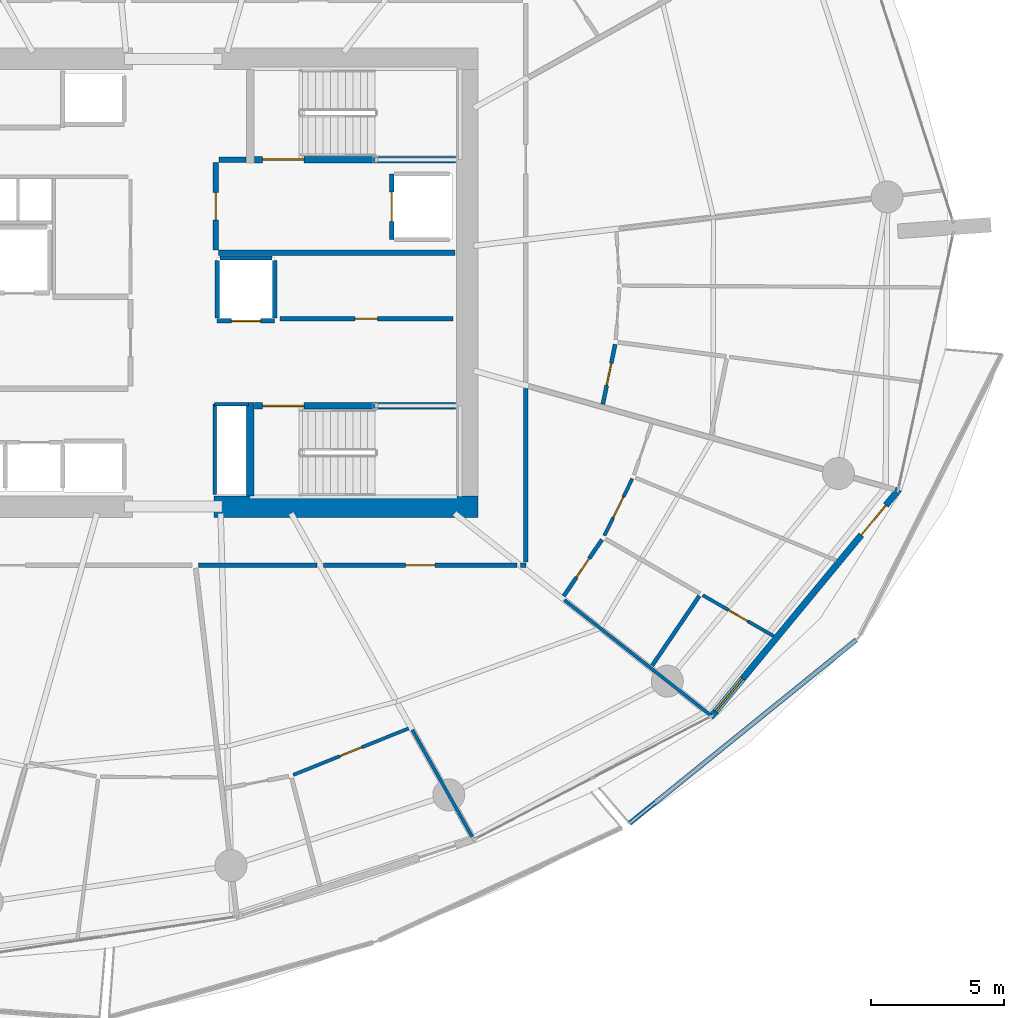
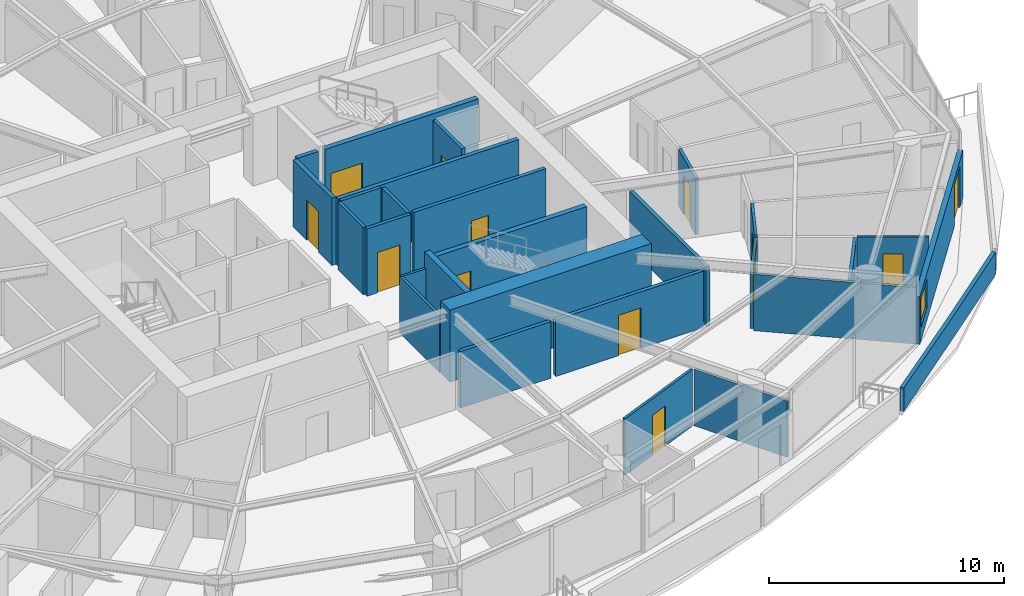
# One storey, part 13 of 23: 29 walls, 13 doors, 1 window, 14 openings.
"""IFC4 building model written with IfcOpenShell, lengths in metres."""

from ifc_helpers import new_model, si_unit, direction, frame, frame_2d, origin, place, context, subcontext, project, spatial, polyline, rectangle, outline, extrude, material, layer, layer_set, type_object, element, fill, save


model = new_model("IFC4")

# Units and contexts
model_context = context("Model", 3, precision=1e-05, world=origin(), true_north=direction((0.0, 1.0)))
body_context = subcontext(model_context, "Body", "Model", "MODEL_VIEW")
ifc_project = project(units=[si_unit("LENGTHUNIT", "METRE"), si_unit("AREAUNIT", "SQUARE_METRE"), si_unit("VOLUMEUNIT", "CUBIC_METRE"), si_unit("PLANEANGLEUNIT", "RADIAN"), si_unit("MASSUNIT", "GRAM", prefix="KILO")], contexts=[model_context])

# Site, building, storey
site_placement = place(None, origin())
site = spatial("IfcSite", under=ifc_project, at=site_placement, CompositionType="ELEMENT")
building_placement = place(site_placement, origin())
building = spatial("IfcBuilding", under=site, at=building_placement, Name="Kazma Halo Residences", CompositionType="ELEMENT")
storey_placement = place(building_placement, frame((0.0, 0.0, 78.89990234375)))
storey = spatial("IfcBuildingStorey", under=building, at=storey_placement, Name="L19", CompositionType="ELEMENT", Elevation=78.89990234375)

# Walls
ifc_material_1 = material(Name="White Concrete C50/60 Balustrade", Category="concrete")
ifc_layer_1 = layer(ifc_material_1, 0.179931640625)
ifc_layer_set_1 = layer_set([ifc_layer_1], Name="White Concrete C50/60 Balustrade")
wall_type_1 = type_object("IfcWallType", Name="WL-BAL-WAVE-180", PredefinedType="PARAPET", material=ifc_layer_set_1)
wall_1_placement = place(storey_placement, frame((65.541015625, 21.714599609375, 0.0), z_axis=(0.0, 0.0, 1.0), x_axis=(0.777242274281, 0.629201436005, 0.0)))
element("IfcWall", 1, at=wall_1_placement, inside=storey, type_object=wall_type_1, Name="L19 white wave balustrade wall SE.1", PredefinedType="PARAPET", context=body_context, shape_type="SweptSolid", body=[
    extrude(outline(polyline([(0.0, 0.0), (10.94873046875, 0.0), (10.94873046875, 1.148193359375), (5.474365234375, 1.127197265625), (0.0, 1.22412109375), (0.0, 0.0)])), frame((0.0, 0.08984375, 0.0), z_axis=(0.0, -1.0, 0.0), x_axis=(1.0, 0.0, 0.0)), (0.0, 0.0, 1.0), 0.179931640625),
])
ifc_material_2 = material(Name="Concrete C80/95", Category="concrete")
ifc_layer_2 = layer(ifc_material_2, 0.800048828125)
ifc_layer_set_2 = layer_set([ifc_layer_2], Name="Concrete C80/95")
wall_type_2 = type_object("IfcWallType", Name="WL-CORE-800", PredefinedType="SHEAR", material=ifc_layer_set_2)
wall_2_placement = place(storey_placement, frame((49.949951171875, 33.60009765625, 0.0), z_axis=(0.0, 0.0, 1.0), x_axis=(1.0, 0.0, 0.0)))
element("IfcWall", 2, at=wall_2_placement, inside=storey, type_object=wall_type_2, Name="L19 central core shear wall SE", PredefinedType="SHEAR", context=body_context, shape_type="SweptSolid", body=[
    extrude(rectangle(XDim=9.900146484375, YDim=0.800048828125, at=frame_2d((4.9501953125, 0.0))), origin(), (0.0, 0.0, 1.0), 3.75),
])
ifc_material_3 = material(Name="Concrete C60/75", Category="concrete")
ifc_layer_3 = layer(ifc_material_3, 0.280029296875)
ifc_layer_set_3 = layer_set([ifc_layer_3], Name="Concrete C60/75")
wall_type_3 = type_object("IfcWallType", Name="WL-CORE-ST-280", PredefinedType="SHEAR", material=ifc_layer_set_3)
wall_3_placement = place(storey_placement, frame((51.31005859375, 34.0, 0.0), z_axis=(0.0, 0.0, 1.0), x_axis=(0.0, 1.0, 0.0)))
element("IfcWall", 3, at=wall_3_placement, inside=storey, type_object=wall_type_3, Name="L19 stairwell bearing wall ST03-W", PredefinedType="SHEAR", context=body_context, shape_type="SweptSolid", body=[
    extrude(rectangle(XDim=3.5, YDim=0.280029296875, at=frame_2d((1.75, 0.0))), origin(), (0.0, 0.0, 1.0), 3.75),
])

# Wall, opening, door
ifc_material_4 = material(Name="Acoustic Twin-Stud Gypsum")
ifc_layer_4 = layer(ifc_material_4, 0.179931640625)
ifc_layer_set_4 = layer_set([ifc_layer_4], Name="Acoustic Twin-Stud Gypsum")
wall_type_4 = type_object("IfcWallType", Name="WL-DEM-180", PredefinedType="PARTITIONING", material=ifc_layer_set_4)
wall_4_placement = place(storey_placement, frame((54.056396484375, 31.39990234375, 0.0), z_axis=(0.0, 0.0, 1.0), x_axis=(1.0, 0.0, 0.0)))
wall_4 = element("IfcWall", 4, at=wall_4_placement, inside=storey, type_object=wall_type_4, Name="L19 Apartment 3 entrance corridor wall", PredefinedType="PARTITIONING", context=body_context, shape_type="SweptSolid", body=[
    extrude(rectangle(XDim=7.26953125, YDim=0.179931640625, at=frame_2d((3.634765625, 0.0))), origin(), (0.0, 0.0, 1.0), 2.940185546875),
])
opening_1_placement = place(wall_4_placement, frame((3.0849609375, 0.0, 0.0)))
opening_1 = element("IfcOpeningElement", 5, at=opening_1_placement, cuts=wall_4, Name="Opening DA-1100", PredefinedType="OPENING", context=body_context, shape_type="SweptSolid", body=[
    extrude(rectangle(XDim=1.10009765625, YDim=2.10009765625, at=frame_2d((0.550048828125, 1.050048828125))), frame((0.0, 0.099853515625, 0.0), z_axis=(0.0, -1.0, 0.0), x_axis=(1.0, 0.0, 0.0)), (0.0, 0.0, 1.0), 0.199951171875),
])
ifc_material_5 = material(Name="Acoustic Walnut Fire Leaf")
door_type_1 = type_object("IfcDoorType", Name="DR-FD60-1100", OperationType="NOTDEFINED", PredefinedType="DOOR", material=ifc_material_5)
door_1_placement = place(opening_1_placement, origin())
door_1 = element("IfcDoor", 6, at=door_1_placement, inside=storey, type_object=door_type_1, Name="L19 Apartment 3 entrance fire door", OperationType="SINGLE_SWING_LEFT", OverallHeight=2.10009765625, OverallWidth=1.10009765625, PredefinedType="DOOR", context=body_context, shape_type="SweptSolid", body=[
    extrude(rectangle(XDim=1.10009765625, YDim=2.10009765625, at=frame_2d((0.550048828125, 1.050048828125))), frame((0.0, 0.02490234375, 0.0), z_axis=(0.0, -1.0, 0.0), x_axis=(1.0, 0.0, 0.0)), (0.0, 0.0, 1.0), 0.050048828125),
])
fill(opening_1, door_1)

# Walls
wall_5_placement = place(storey_placement, frame((49.37451171875, 31.39990234375, 0.0), z_axis=(0.0, 0.0, 1.0), x_axis=(1.0, 0.0, 0.0)))
element("IfcWall", 7, at=wall_5_placement, inside=storey, type_object=wall_type_4, Name="L19 Apartment 3 inner wall 11", PredefinedType="PARTITIONING", context=body_context, shape_type="SweptSolid", body=[
    extrude(rectangle(XDim=4.44189453125, YDim=0.179931640625, at=frame_2d((2.220947265625, 0.0))), origin(), (0.0, 0.0, 1.0), 2.940185546875),
])
wall_6_placement = place(storey_placement, frame((61.446044921875, 31.39990234375, 0.0), z_axis=(0.0, 0.0, 1.0), x_axis=(1.0, 0.0, 0.0)))
element("IfcWall", 8, at=wall_6_placement, inside=storey, type_object=wall_type_4, Name="L19 Apartment 3 inner wall 13", PredefinedType="PARTITIONING", context=body_context, shape_type="SweptSolid", body=[
    extrude(rectangle(XDim=0.203857421875, YDim=0.179931640625, at=frame_2d((0.10205078125, 0.0))), origin(), (0.0, 0.0, 1.0), 2.940185546875),
])
wall_7_placement = place(storey_placement, frame((61.64990234375, 31.52001953125, 0.0), z_axis=(0.0, 0.0, 1.0), x_axis=(0.0, 1.0, 0.0)))
element("IfcWall", 9, at=wall_7_placement, inside=storey, type_object=wall_type_4, Name="L19 Apartment 3 inner wall 13", PredefinedType="PARTITIONING", context=body_context, shape_type="SweptSolid", body=[
    extrude(rectangle(XDim=6.51025390625, YDim=0.179931640625, at=frame_2d((3.255126953125, 0.0))), origin(), (0.0, 0.0, 1.0), 2.940185546875),
])

# Wall, openings, door, window
ifc_material_6 = material(Name="Insulated Pale-Metal Composite Wall")
ifc_layer_5 = layer(ifc_material_6, 0.239990234375)
ifc_layer_set_5 = layer_set([ifc_layer_5], Name="Insulated Pale-Metal Composite Wall")
wall_type_5 = type_object("IfcWallType", Name="WL-EXT-HOST-240", PredefinedType="SOLIDWALL", material=ifc_layer_set_5)
wall_8_placement = place(storey_placement, frame((68.593017578125, 25.7021484375, 0.0), z_axis=(0.0, 0.0, 1.0), x_axis=(0.636704975, 0.771107498868, 0.0)))
wall_8 = element("IfcWall", 10, at=wall_8_placement, inside=storey, type_object=wall_type_5, Name="L19 exterior terrace-access wall B14", PredefinedType="SOLIDWALL", context=body_context, shape_type="SweptSolid", body=[
    extrude(rectangle(XDim=11.084228515625, YDim=0.239990234375, at=frame_2d((5.5419921875, 0.0))), origin(), (0.0, 0.0, 1.0), 2.4501953125),
])
opening_2_placement = place(wall_8_placement, frame((8.8642578125, 0.0, 0.0)))
opening_2 = element("IfcOpeningElement", 11, at=opening_2_placement, cuts=wall_8, Name="Opening DTR-1600", PredefinedType="OPENING", context=body_context, shape_type="SweptSolid", body=[
    extrude(rectangle(XDim=1.449951171875, YDim=2.14990234375, at=frame_2d((0.72509765625, 1.074951171875))), frame((0.0, 0.1298828125, 0.0), z_axis=(0.0, -1.0, 0.0), x_axis=(1.0, 0.0, 0.0)), (0.0, 0.0, 1.0), 0.260009765625),
])
opening_3_placement = place(wall_8_placement, frame((0.280029296875, 0.0, 0.64990234375)))
opening_3 = element("IfcOpeningElement", 12, at=opening_3_placement, cuts=wall_8, Name="Opening W-1800", PredefinedType="OPENING", context=body_context, shape_type="SweptSolid", body=[
    extrude(rectangle(XDim=1.60009765625, YDim=1.5, at=frame_2d((0.800048828125, 0.75))), frame((0.0, 0.1298828125, 0.0), z_axis=(0.0, -1.0, 0.0), x_axis=(1.0, 0.0, 0.0)), (0.0, 0.0, 1.0), 0.260009765625),
])
ifc_material_7 = material(Name="Aluminium AW-6063 T6 Double-Glazed Terrace Door", Category="aluminium")
door_type_2 = type_object("IfcDoorType", Name="DR-EXT-TERR-1600", OperationType="NOTDEFINED", PredefinedType="DOOR", material=ifc_material_7)
door_2_placement = place(opening_2_placement, origin())
door_2 = element("IfcDoor", 13, at=door_2_placement, inside=storey, type_object=door_type_2, Name="L19 B14 balcony terrace door", OperationType="DOUBLE_DOOR_SLIDING", OverallHeight=2.14990234375, OverallWidth=1.449951171875, PredefinedType="DOOR", context=body_context, shape_type="SweptSolid", body=[
    extrude(rectangle(XDim=1.449951171875, YDim=2.14990234375, at=frame_2d((0.72509765625, 1.074951171875))), frame((0.0, 0.02490234375, 0.0), z_axis=(0.0, -1.0, 0.0), x_axis=(1.0, 0.0, 0.0)), (0.0, 0.0, 1.0), 0.050048828125),
])
fill(opening_2, door_2)
ifc_material_8 = material(Name="Clear Triple-Silver Low-E Glass in Aluminium AW-6063 T6 Frame", Category="aluminium")
window_type = type_object("IfcWindowType", Name="WIN-RES-1800", PartitioningType="DOUBLE_PANEL_VERTICAL", PredefinedType="WINDOW", material=ifc_material_8)
window_placement = place(opening_3_placement, origin())
window = element("IfcWindow", 14, at=window_placement, inside=storey, type_object=window_type, Name="L19 B14 apartment window", OverallHeight=1.5, OverallWidth=1.60009765625, PartitioningType="SINGLE_PANEL", PredefinedType="WINDOW", context=body_context, shape_type="SweptSolid", body=[
    extrude(rectangle(XDim=1.60009765625, YDim=1.5, at=frame_2d((0.800048828125, 0.75))), frame((0.0, 0.030029296875, 0.0), z_axis=(0.0, -1.0, 0.0), x_axis=(1.0, 0.0, 0.0)), (0.0, 0.0, 1.0), 0.06005859375),
])
fill(opening_3, window)

# Wall, opening, door
ifc_material_9 = material(Name="Fire-Rated Blockwork Masonry", Category="masonry")
ifc_layer_6 = layer(ifc_material_9, 0.199951171875)
ifc_layer_set_6 = layer_set([ifc_layer_6], Name="Fire-Rated Blockwork Masonry")
wall_type_6 = type_object("IfcWallType", Name="WL-FLB-200", PredefinedType="PARTITIONING", material=ifc_layer_set_6)
wall_9_placement = place(storey_placement, frame((56.6201171875, 46.080078125, 0.0), z_axis=(0.0, 0.0, 1.0), x_axis=(0.0, -1.0, 0.0)))
wall_9 = element("IfcWall", 15, at=wall_9_placement, inside=storey, type_object=wall_type_6, Name="L19 lift shaft FL-02 front wall", PredefinedType="PARTITIONING", context=body_context, shape_type="SweptSolid", body=[
    extrude(rectangle(XDim=2.4599609375, YDim=0.159912109375, at=frame_2d((1.22998046875, 0.0))), origin(), (0.0, 0.0, 1.0), 3.5),
])
opening_4_placement = place(wall_9_placement, frame((0.679931640625, 0.0, 0.0)))
opening_4 = element("IfcOpeningElement", 16, at=opening_4_placement, cuts=wall_9, Name="Opening LD-FL-02", PredefinedType="OPENING", context=body_context, shape_type="SweptSolid", body=[
    extrude(rectangle(XDim=1.10009765625, YDim=2.10009765625, at=frame_2d((0.550048828125, 1.050048828125))), frame((0.0, 0.08984375, 0.0), z_axis=(0.0, -1.0, 0.0), x_axis=(1.0, 0.0, 0.0)), (0.0, 0.0, 1.0), 0.179931640625),
])
ifc_material_10 = material(Name="Stainless Steel Fire-Rated", Category="steel")
door_type_3 = type_object("IfcDoorType", Name="DR-LIFT-SLD-1100", OperationType="DOUBLE_DOOR_SLIDING", PredefinedType="DOOR", material=ifc_material_10)
door_3_placement = place(opening_4_placement, origin())
door_3 = element("IfcDoor", 17, at=door_3_placement, inside=storey, type_object=door_type_3, Name="L19 lift FL-02 sliding landing door", OperationType="DOUBLE_DOOR_SLIDING", OverallHeight=2.10009765625, OverallWidth=1.10009765625, PredefinedType="DOOR", context=body_context, shape_type="SweptSolid", body=[
    extrude(rectangle(XDim=1.10009765625, YDim=2.10009765625, at=frame_2d((0.550048828125, 1.050048828125))), frame((0.0, 0.02490234375, 0.0), z_axis=(0.0, -1.0, 0.0), x_axis=(1.0, 0.0, 0.0)), (0.0, 0.0, 1.0), 0.050048828125),
])
fill(opening_4, door_3)

wall_10_placement = place(storey_placement, frame((52.22998046875, 40.570068359375, 0.0), z_axis=(0.0, 0.0, 1.0), x_axis=(-1.0, 0.0, 0.0)))
wall_10 = element("IfcWall", 18, at=wall_10_placement, inside=storey, type_object=wall_type_6, Name="L19 lift shaft SV-01 front wall", PredefinedType="PARTITIONING", context=body_context, shape_type="SweptSolid", body=[
    extrude(rectangle(XDim=2.159912109375, YDim=0.159912109375, at=frame_2d((1.080078125, 0.0))), origin(), (0.0, 0.0, 1.0), 3.5),
])
opening_5_placement = place(wall_10_placement, frame((0.530029296875, 0.0, 0.0)))
opening_5 = element("IfcOpeningElement", 19, at=opening_5_placement, cuts=wall_10, Name="Opening LD-SV-01", PredefinedType="OPENING", context=body_context, shape_type="SweptSolid", body=[
    extrude(rectangle(XDim=1.10009765625, YDim=2.10009765625, at=frame_2d((0.550048828125, 1.050048828125))), frame((0.0, 0.08984375, 0.0), z_axis=(0.0, -1.0, 0.0), x_axis=(1.0, 0.0, 0.0)), (0.0, 0.0, 1.0), 0.179931640625),
])
door_4_placement = place(opening_5_placement, origin())
door_4 = element("IfcDoor", 20, at=door_4_placement, inside=storey, type_object=door_type_3, Name="L19 lift SV-01 sliding landing door", OperationType="DOUBLE_DOOR_SLIDING", OverallHeight=2.10009765625, OverallWidth=1.10009765625, PredefinedType="DOOR", context=body_context, shape_type="SweptSolid", body=[
    extrude(rectangle(XDim=1.10009765625, YDim=2.10009765625, at=frame_2d((0.550048828125, 1.050048828125))), frame((0.0, 0.02490234375, 0.0), z_axis=(0.0, -1.0, 0.0), x_axis=(1.0, 0.0, 0.0)), (0.0, 0.0, 1.0), 0.050048828125),
])
fill(opening_5, door_4)

# Walls
for number, where, z_axis, x_axis, name in (
    (21, (52.22998046875, 40.669921875, 0.0), (0.0, 0.0, 1.0), (0.0, 1.0, 0.0), "L19 lift shaft SV-01 side wall E"),
    (22, (50.070068359375, 40.669921875, 0.0), (0.0, 0.0, 1.0), (0.0, 1.0, 0.0), "L19 lift shaft SV-01 side wall W"),
):
    element("IfcWall", number, at=place(storey_placement, frame(where, z_axis=z_axis, x_axis=x_axis)), inside=storey, type_object=wall_type_6, Name=name, PredefinedType="PARTITIONING", context=body_context, shape_type="SweptSolid", body=[
        extrude(rectangle(XDim=2.16015625, YDim=0.159912109375, at=frame_2d((1.080078125, 0.0))), origin(), (0.0, 0.0, 1.0), 3.5),
    ])
wall_11_placement = place(storey_placement, frame((50.169921875, 42.929931640625, 0.0), z_axis=(0.0, 0.0, 1.0), x_axis=(1.0, 0.0, 0.0)))
element("IfcWall", 23, at=wall_11_placement, inside=storey, type_object=wall_type_6, Name="L19 lift shaft SV-01 side wall N", PredefinedType="PARTITIONING", context=body_context, shape_type="SweptSolid", body=[
    extrude(rectangle(XDim=1.9599609375, YDim=0.159912109375, at=frame_2d((0.97998046875, 0.0))), origin(), (0.0, 0.0, 1.0), 3.5),
])

# Wall, opening, door
wall_12_placement = place(storey_placement, frame((52.419921875, 40.64990234375, 0.0), z_axis=(0.0, 0.0, 1.0), x_axis=(1.0, 0.0, 0.0)))
wall_12 = element("IfcWall", 24, at=wall_12_placement, inside=storey, type_object=wall_type_6, Name="L19 core east reserve wall", PredefinedType="PARTITIONING", context=body_context, shape_type="SweptSolid", body=[
    extrude(rectangle(XDim=6.5, YDim=0.179931640625, at=frame_2d((3.25, 0.0))), origin(), (0.0, 0.0, 1.0), 3.5),
])
opening_6_placement = place(wall_12_placement, frame((2.824951171875, 0.0, 0.0)))
opening_6 = element("IfcOpeningElement", 25, at=opening_6_placement, cuts=wall_12, Name="Opening DS-850", PredefinedType="OPENING", context=body_context, shape_type="SweptSolid", body=[
    extrude(rectangle(XDim=0.85009765625, YDim=2.06005859375, at=frame_2d((0.425048828125, 1.030029296875))), frame((0.0, 0.099853515625, 0.0), z_axis=(0.0, -1.0, 0.0), x_axis=(1.0, 0.0, 0.0)), (0.0, 0.0, 1.0), 0.199951171875),
])
ifc_material_11 = material(Name="Painted Steel Access Leaf", Category="steel")
door_type_4 = type_object("IfcDoorType", Name="DR-SVC-850", OperationType="NOTDEFINED", PredefinedType="DOOR", material=ifc_material_11)
door_5_placement = place(opening_6_placement, origin())
door_5 = element("IfcDoor", 26, at=door_5_placement, inside=storey, type_object=door_type_4, Name="L19 core east reserve door", OperationType="SINGLE_SWING_RIGHT", OverallHeight=2.06005859375, OverallWidth=0.85009765625, PredefinedType="DOOR", context=body_context, shape_type="SweptSolid", body=[
    extrude(rectangle(XDim=0.85009765625, YDim=2.06005859375, at=frame_2d((0.425048828125, 1.030029296875))), frame((0.0, 0.02490234375, 0.0), z_axis=(0.0, -1.0, 0.0), x_axis=(1.0, 0.0, 0.0)), (0.0, 0.0, 1.0), 0.050048828125),
])
fill(opening_6, door_5)

# Walls
wall_13_placement = place(storey_placement, frame((50.1201171875, 43.1201171875, 0.0), z_axis=(0.0, 0.0, 1.0), x_axis=(1.0, 0.0, 0.0)))
element("IfcWall", 27, at=wall_13_placement, inside=storey, type_object=wall_type_6, Name="L19 east firefighting lobby south smoke wall", PredefinedType="PARTITIONING", context=body_context, shape_type="SweptSolid", body=[
    extrude(rectangle(XDim=8.8798828125, YDim=0.199951171875, at=frame_2d((4.43994140625, 0.0))), origin(), (0.0, 0.0, 1.0), 3.5),
])
wall_14_placement = place(storey_placement, frame((50.139892578125, 46.6201171875, 0.0), z_axis=(0.0, 0.0, 1.0), x_axis=(1.0, 0.0, 0.0)))
element("IfcWall", 28, at=wall_14_placement, inside=storey, type_object=wall_type_6, Name="L19 east firefighting lobby north closure wall", PredefinedType="PARTITIONING", context=body_context, shape_type="SweptSolid", body=[
    extrude(rectangle(XDim=1.02001953125, YDim=0.199951171875, at=frame_2d((0.510009765625, 0.0))), origin(), (0.0, 0.0, 1.0), 3.5),
])

# Wall, opening, door
wall_15_placement = place(storey_placement, frame((50.02001953125, 43.219970703125, 0.0), z_axis=(0.0, 0.0, 1.0), x_axis=(0.0, 1.0, 0.0)))
wall_15 = element("IfcWall", 29, at=wall_15_placement, inside=storey, type_object=wall_type_6, Name="L19 east firefighting lobby smoke wall", PredefinedType="PARTITIONING", context=body_context, shape_type="SweptSolid", body=[
    extrude(rectangle(XDim=3.300048828125, YDim=0.199951171875, at=frame_2d((1.64990234375, 0.0))), origin(), (0.0, 0.0, 1.0), 3.5),
])
opening_7_placement = place(wall_15_placement, frame((1.125, 0.0, 0.0)))
opening_7 = element("IfcOpeningElement", 30, at=opening_7_placement, cuts=wall_15, Name="Opening D-FLE", PredefinedType="OPENING", context=body_context, shape_type="SweptSolid", body=[
    extrude(rectangle(XDim=1.050048828125, YDim=2.10009765625, at=frame_2d((0.52490234375, 1.050048828125))), frame((0.0, 0.10986328125, 0.0), z_axis=(0.0, -1.0, 0.0), x_axis=(1.0, 0.0, 0.0)), (0.0, 0.0, 1.0), 0.219970703125),
])
ifc_material_12 = material(Name="Fire-Rated Steel Leaf", Category="steel")
door_type_5 = type_object("IfcDoorType", Name="DR-FD90-1050", OperationType="NOTDEFINED", PredefinedType="DOOR", material=ifc_material_12)
door_6_placement = place(opening_7_placement, origin())
door_6 = element("IfcDoor", 31, at=door_6_placement, inside=storey, type_object=door_type_5, Name="L19 east firefighting lobby smoke door", OperationType="SINGLE_SWING_LEFT", OverallHeight=2.10009765625, OverallWidth=1.050048828125, PredefinedType="DOOR", context=body_context, shape_type="SweptSolid", body=[
    extrude(rectangle(XDim=1.050048828125, YDim=2.10009765625, at=frame_2d((0.52490234375, 1.050048828125))), frame((0.0, 0.02490234375, 0.0), z_axis=(0.0, -1.0, 0.0), x_axis=(1.0, 0.0, 0.0)), (0.0, 0.0, 1.0), 0.050048828125),
])
fill(opening_7, door_6)

# Walls
ifc_material_13 = material(Name="Gypsum Plasterboard Partition")
ifc_layer_7 = layer(ifc_material_13, 0.125)
ifc_layer_set_7 = layer_set([ifc_layer_7], Name="Gypsum Plasterboard Partition")
wall_type_7 = type_object("IfcWallType", Name="WL-PART-125", PredefinedType="PARTITIONING", material=ifc_layer_set_7)
wall_16_placement = place(storey_placement, frame((49.97998046875, 34.06005859375, 0.0), z_axis=(0.0, 0.0, 1.0), x_axis=(0.0, 1.0, 0.0)))
element("IfcWall", 32, at=wall_16_placement, inside=storey, type_object=wall_type_7, Name="L19 standpipe riser wall", PredefinedType="PARTITIONING", context=body_context, shape_type="SweptSolid", body=[
    extrude(rectangle(XDim=3.39990234375, YDim=0.125, at=frame_2d((1.699951171875, 0.0))), origin(), (0.0, 0.0, 1.0), 2.940185546875),
])
wall_17_placement = place(storey_placement, frame((49.97998046875, 37.43994140625, 0.0), z_axis=(0.0, 0.0, 1.0), x_axis=(1.0, 0.0, 0.0)))
element("IfcWall", 33, at=wall_17_placement, inside=storey, type_object=wall_type_7, Name="L19 standpipe riser north wall", PredefinedType="PARTITIONING", context=body_context, shape_type="SweptSolid", body=[
    extrude(rectangle(XDim=1.260009765625, YDim=0.125, at=frame_2d((0.6298828125, 0.0))), origin(), (0.0, 0.0, 1.0), 2.940185546875),
])
wall_18_placement = place(storey_placement, frame((57.392333984375, 25.22900390625, 0.0), z_axis=(0.0, 0.0, 1.0), x_axis=(0.488604984913, -0.872505110998, 0.0)))
element("IfcWall", 34, at=wall_18_placement, inside=storey, type_object=wall_type_7, Name="L19 Apartment 3 living radial partition 11", PredefinedType="PARTITIONING", context=body_context, shape_type="SweptSolid", body=[
    extrude(rectangle(XDim=4.600341796875, YDim=0.125, at=frame_2d((2.30029296875, 0.0))), origin(), (0.0, 0.0, 1.0), 2.940185546875),
])

# Wall, opening, door
wall_19_placement = place(storey_placement, frame((52.92626953125, 23.53515625, 0.0), z_axis=(0.0, 0.0, 1.0), x_axis=(0.927447622914, 0.373953080949, 0.0)))
wall_19 = element("IfcWall", 35, at=wall_19_placement, inside=storey, type_object=wall_type_7, Name="L19 Apartment 3 Gourmet Kitchen hall wall", PredefinedType="PARTITIONING", context=body_context, shape_type="SweptSolid", body=[
    extrude(rectangle(XDim=4.662841796875, YDim=0.125, at=frame_2d((2.33154296875, 0.0))), origin(), (0.0, 0.0, 1.0), 2.940185546875),
])
opening_8_placement = place(wall_19_placement, frame((1.88134765625, 0.0, 0.0)))
opening_8 = element("IfcOpeningElement", 36, at=opening_8_placement, cuts=wall_19, Name="Opening DI-950", PredefinedType="OPENING", context=body_context, shape_type="SweptSolid", body=[
    extrude(rectangle(XDim=0.89990234375, YDim=2.080078125, at=frame_2d((0.449951171875, 1.0400390625))), frame((0.0, 0.072509765625, 0.0), z_axis=(0.0, -1.0, 0.0), x_axis=(1.0, 0.0, 0.0)), (0.0, 0.0, 1.0), 0.14501953125),
])
ifc_material_14 = material(Name="Timber Veneer Flush Leaf", Category="wood")
door_type_6 = type_object("IfcDoorType", Name="DR-INT-950", OperationType="NOTDEFINED", PredefinedType="DOOR", material=ifc_material_14)
door_7_placement = place(opening_8_placement, origin())
door_7 = element("IfcDoor", 37, at=door_7_placement, inside=storey, type_object=door_type_6, Name="L19 Apartment 3 Gourmet Kitchen door", OperationType="SINGLE_SWING_LEFT", OverallHeight=2.080078125, OverallWidth=0.89990234375, PredefinedType="DOOR", context=body_context, shape_type="SweptSolid", body=[
    extrude(rectangle(XDim=0.89990234375, YDim=2.080078125, at=frame_2d((0.449951171875, 1.0400390625))), frame((0.0, 0.02490234375, 0.0), z_axis=(0.0, -1.0, 0.0), x_axis=(1.0, 0.0, 0.0)), (0.0, 0.0, 1.0), 0.050048828125),
])
fill(opening_8, door_7)

# Wall
wall_20_placement = place(storey_placement, frame((63.09521484375, 30.099853515625, 0.0), z_axis=(0.0, 0.0, 1.0), x_axis=(0.78530300145, -0.6191116183, 0.0)))
element("IfcWall", 38, at=wall_20_placement, inside=storey, type_object=wall_type_7, Name="L19 Apartment 3 radial partition 13", PredefinedType="PARTITIONING", context=body_context, shape_type="SweptSolid", body=[
    extrude(rectangle(XDim=7.01611328125, YDim=0.125, at=frame_2d((3.508056640625, 0.0))), origin(), (0.0, 0.0, 1.0), 2.940185546875),
])

# Wall, opening, door
wall_21_placement = place(storey_placement, frame((68.28955078125, 30.27880859375, 0.0), z_axis=(0.0, 0.0, 1.0), x_axis=(0.865901850726, -0.50021393914, 0.0)))
wall_21 = element("IfcWall", 39, at=wall_21_placement, inside=storey, type_object=wall_type_7, Name="L19 Apartment 3 West Walk-In Wardrobe partition wall", PredefinedType="PARTITIONING", context=body_context, shape_type="SweptSolid", body=[
    extrude(rectangle(XDim=3.067138671875, YDim=0.125, at=frame_2d((1.53369140625, 0.0))), origin(), (0.0, 0.0, 1.0), 2.940185546875),
])
opening_9_placement = place(wall_21_placement, frame((1.1083984375, 0.0, 0.0)))
opening_9 = element("IfcOpeningElement", 40, at=opening_9_placement, cuts=wall_21, Name="Opening DB-900", PredefinedType="OPENING", context=body_context, shape_type="SweptSolid", body=[
    extrude(rectangle(XDim=0.85009765625, YDim=2.06005859375, at=frame_2d((0.425048828125, 1.030029296875))), frame((0.0, 0.072509765625, 0.0), z_axis=(0.0, -1.0, 0.0), x_axis=(1.0, 0.0, 0.0)), (0.0, 0.0, 1.0), 0.14501953125),
])
ifc_material_15 = material(Name="Moisture-Sealed Timber Leaf", Category="wood")
door_type_7 = type_object("IfcDoorType", Name="DR-BTH-900", OperationType="NOTDEFINED", PredefinedType="DOOR", material=ifc_material_15)
door_8_placement = place(opening_9_placement, origin())
door_8 = element("IfcDoor", 41, at=door_8_placement, inside=storey, type_object=door_type_7, Name="L19 Apartment 3 West Walk-In Wardrobe door", OperationType="SINGLE_SWING_RIGHT", OverallHeight=2.06005859375, OverallWidth=0.85009765625, PredefinedType="DOOR", context=body_context, shape_type="SweptSolid", body=[
    extrude(rectangle(XDim=0.85009765625, YDim=2.06005859375, at=frame_2d((0.425048828125, 1.030029296875))), frame((0.0, 0.02490234375, 0.0), z_axis=(0.0, -1.0, 0.0), x_axis=(1.0, 0.0, 0.0)), (0.0, 0.0, 1.0), 0.050048828125),
])
fill(opening_9, door_8)

wall_22_placement = place(storey_placement, frame((64.597412109375, 32.515380859375, 0.0), z_axis=(0.0, 0.0, 1.0), x_axis=(0.441489261257, 0.897266533531, 0.0)))
wall_22 = element("IfcWall", 42, at=wall_22_placement, inside=storey, type_object=wall_type_7, Name="L19 Apartment 3 North Private Study hall wall", PredefinedType="PARTITIONING", context=body_context, shape_type="SweptSolid", body=[
    extrude(rectangle(XDim=2.375, YDim=0.125, at=frame_2d((1.1875, 0.0))), origin(), (0.0, 0.0, 1.0), 2.940185546875),
])
opening_10_placement = place(wall_22_placement, frame((0.762451171875, 0.0, 0.0)))
opening_10 = element("IfcOpeningElement", 43, at=opening_10_placement, cuts=wall_22, Name="Opening DB-900", PredefinedType="OPENING", context=body_context, shape_type="SweptSolid", body=[
    extrude(rectangle(XDim=0.85009765625, YDim=2.06005859375, at=frame_2d((0.425048828125, 1.030029296875))), frame((0.0, 0.072509765625, 0.0), z_axis=(0.0, -1.0, 0.0), x_axis=(1.0, 0.0, 0.0)), (0.0, 0.0, 1.0), 0.14501953125),
])
door_9_placement = place(opening_10_placement, origin())
door_9 = element("IfcDoor", 44, at=door_9_placement, inside=storey, type_object=door_type_7, Name="L19 Apartment 3 North Private Study door", OperationType="SINGLE_SWING_LEFT", OverallHeight=2.06005859375, OverallWidth=0.85009765625, PredefinedType="DOOR", context=body_context, shape_type="SweptSolid", body=[
    extrude(rectangle(XDim=0.85009765625, YDim=2.06005859375, at=frame_2d((0.425048828125, 1.030029296875))), frame((0.0, 0.02490234375, 0.0), z_axis=(0.0, -1.0, 0.0), x_axis=(1.0, 0.0, 0.0)), (0.0, 0.0, 1.0), 0.050048828125),
])
fill(opening_10, door_9)

ifc_material_16 = material(Name="Concrete C50/60", Category="concrete")
ifc_layer_8 = layer(ifc_material_16, 0.25)
ifc_layer_set_8 = layer_set([ifc_layer_8], Name="Concrete C50/60")
wall_type_8 = type_object("IfcWallType", Name="WL-SHF-250", PredefinedType="SOLIDWALL", material=ifc_layer_set_8)
wall_23_placement = place(storey_placement, frame((51.47998046875, 46.6201171875, 0.0), z_axis=(0.0, 0.0, 1.0), x_axis=(1.0, 0.0, 0.0)))
wall_23 = element("IfcWall", 45, at=wall_23_placement, inside=storey, type_object=wall_type_8, Name="L19 exit stair ST-02 enclosure wall", PredefinedType="SOLIDWALL", context=body_context, shape_type="SweptSolid", body=[
    extrude(rectangle(XDim=7.5400390625, YDim=0.25, at=frame_2d((3.77001953125, 0.0))), origin(), (0.0, 0.0, 1.0), 3.5),
])
opening_11_placement = place(wall_23_placement, frame((0.300048828125, 0.0, 0.0)))
opening_11 = element("IfcOpeningElement", 46, at=opening_11_placement, cuts=wall_23, Name="Opening D-ST2", PredefinedType="OPENING", context=body_context, shape_type="SweptSolid", body=[
    extrude(rectangle(XDim=1.550048828125, YDim=2.14990234375, at=frame_2d((0.77490234375, 1.074951171875))), frame((0.0, 0.135009765625, 0.0), z_axis=(0.0, -1.0, 0.0), x_axis=(1.0, 0.0, 0.0)), (0.0, 0.0, 1.0), 0.27001953125),
])
ifc_material_17 = material(Name="Fire-Rated Double Steel Leaf", Category="steel")
door_type_8 = type_object("IfcDoorType", Name="DR-FD90-1550", OperationType="NOTDEFINED", PredefinedType="DOOR", material=ifc_material_17)
door_10_placement = place(opening_11_placement, origin())
door_10 = element("IfcDoor", 47, at=door_10_placement, inside=storey, type_object=door_type_8, Name="L19 exit stair ST-02 fire door", OperationType="DOUBLE_DOOR_SINGLE_SWING", OverallHeight=2.14990234375, OverallWidth=1.550048828125, PredefinedType="DOOR", context=body_context, shape_type="SweptSolid", body=[
    extrude(rectangle(XDim=1.550048828125, YDim=2.14990234375, at=frame_2d((0.77490234375, 1.074951171875))), frame((0.0, 0.02490234375, 0.0), z_axis=(0.0, -1.0, 0.0), x_axis=(1.0, 0.0, 0.0)), (0.0, 0.0, 1.0), 0.050048828125),
])
fill(opening_11, door_10)

wall_24_placement = place(storey_placement, frame((51.47998046875, 37.3798828125, 0.0), z_axis=(0.0, 0.0, 1.0), x_axis=(1.0, 0.0, 0.0)))
wall_24 = element("IfcWall", 48, at=wall_24_placement, inside=storey, type_object=wall_type_8, Name="L19 exit stair ST-03 enclosure wall", PredefinedType="SOLIDWALL", context=body_context, shape_type="SweptSolid", body=[
    extrude(rectangle(XDim=7.5400390625, YDim=0.25, at=frame_2d((3.77001953125, 0.0))), origin(), (0.0, 0.0, 1.0), 3.5),
])
opening_12_placement = place(wall_24_placement, frame((0.300048828125, 0.0, 0.0)))
opening_12 = element("IfcOpeningElement", 49, at=opening_12_placement, cuts=wall_24, Name="Opening D-ST3", PredefinedType="OPENING", context=body_context, shape_type="SweptSolid", body=[
    extrude(rectangle(XDim=1.550048828125, YDim=2.14990234375, at=frame_2d((0.77490234375, 1.074951171875))), frame((0.0, 0.135009765625, 0.0), z_axis=(0.0, -1.0, 0.0), x_axis=(1.0, 0.0, 0.0)), (0.0, 0.0, 1.0), 0.27001953125),
])
door_11_placement = place(opening_12_placement, origin())
door_11 = element("IfcDoor", 50, at=door_11_placement, inside=storey, type_object=door_type_8, Name="L19 exit stair ST-03 fire door", OperationType="DOUBLE_DOOR_SINGLE_SWING", OverallHeight=2.14990234375, OverallWidth=1.550048828125, PredefinedType="DOOR", context=body_context, shape_type="SweptSolid", body=[
    extrude(rectangle(XDim=1.550048828125, YDim=2.14990234375, at=frame_2d((0.77490234375, 1.074951171875))), frame((0.0, 0.02490234375, 0.0), z_axis=(0.0, -1.0, 0.0), x_axis=(1.0, 0.0, 0.0)), (0.0, 0.0, 1.0), 0.050048828125),
])
fill(opening_12, door_11)

ifc_material_18 = material(Name="Moisture-Resistant Gypsum")
ifc_layer_9 = layer(ifc_material_18, 0.14990234375)
ifc_layer_set_9 = layer_set([ifc_layer_9], Name="Moisture-Resistant Gypsum")
wall_type_9 = type_object("IfcWallType", Name="WL-WET-150", PredefinedType="PARTITIONING", material=ifc_layer_set_9)
wall_25_placement = place(storey_placement, frame((63.072998046875, 30.244384765625, 0.0), z_axis=(0.0, 0.0, 1.0), x_axis=(0.561076223922, 0.827764139685, 0.0)))
wall_25 = element("IfcWall", 51, at=wall_25_placement, inside=storey, type_object=wall_type_9, Name="L19 Apartment 3 East En-Suite Bathroom hall wall", PredefinedType="PARTITIONING", context=body_context, shape_type="SweptSolid", body=[
    extrude(rectangle(XDim=2.555908203125, YDim=0.14990234375, at=frame_2d((1.27783203125, 0.0))), origin(), (0.0, 0.0, 1.0), 2.940185546875),
])
opening_13_placement = place(wall_25_placement, frame((0.85302734375, 0.0, 0.0)))
opening_13 = element("IfcOpeningElement", 52, at=opening_13_placement, cuts=wall_25, Name="Opening DB-900", PredefinedType="OPENING", context=body_context, shape_type="SweptSolid", body=[
    extrude(rectangle(XDim=0.85009765625, YDim=2.06005859375, at=frame_2d((0.425048828125, 1.030029296875))), frame((0.0, 0.0849609375, 0.0), z_axis=(0.0, -1.0, 0.0), x_axis=(1.0, 0.0, 0.0)), (0.0, 0.0, 1.0), 0.169921875),
])
door_12_placement = place(opening_13_placement, origin())
door_12 = element("IfcDoor", 53, at=door_12_placement, inside=storey, type_object=door_type_7, Name="L19 Apartment 3 East En-Suite Bathroom door", OperationType="SINGLE_SWING_LEFT", OverallHeight=2.06005859375, OverallWidth=0.85009765625, PredefinedType="DOOR", context=body_context, shape_type="SweptSolid", body=[
    extrude(rectangle(XDim=0.85009765625, YDim=2.06005859375, at=frame_2d((0.425048828125, 1.030029296875))), frame((0.0, 0.02490234375, 0.0), z_axis=(0.0, -1.0, 0.0), x_axis=(1.0, 0.0, 0.0)), (0.0, 0.0, 1.0), 0.050048828125),
])
fill(opening_13, door_12)

# Wall
wall_26_placement = place(storey_placement, frame((66.386962890625, 27.6318359375, 0.0), z_axis=(0.0, 0.0, 1.0), x_axis=(0.561080301856, 0.82776137556, 0.0)))
element("IfcWall", 54, at=wall_26_placement, inside=storey, type_object=wall_type_9, Name="L19 Apartment 3 East En-Suite Bathroom back wall", PredefinedType="PARTITIONING", context=body_context, shape_type="SweptSolid", body=[
    extrude(rectangle(XDim=3.162109375, YDim=0.14990234375, at=frame_2d((1.5810546875, 0.0))), origin(), (0.0, 0.0, 1.0), 2.940185546875),
])

# Wall, opening, door
wall_27_placement = place(storey_placement, frame((64.54052734375, 37.438720703125, 0.0), z_axis=(0.0, 0.0, 1.0), x_axis=(0.201145672032, 0.979561339898, 0.0)))
wall_27 = element("IfcWall", 55, at=wall_27_placement, inside=storey, type_object=wall_type_9, Name="L19 Apartment 4 Guest Bathroom hall wall", PredefinedType="PARTITIONING", context=body_context, shape_type="SweptSolid", body=[
    extrude(rectangle(XDim=2.295166015625, YDim=0.14990234375, at=frame_2d((1.1474609375, 0.0))), origin(), (0.0, 0.0, 1.0), 2.940185546875),
])
opening_14_placement = place(wall_27_placement, frame((0.722412109375, 0.0, 0.0)))
opening_14 = element("IfcOpeningElement", 56, at=opening_14_placement, cuts=wall_27, Name="Opening DB-900", PredefinedType="OPENING", context=body_context, shape_type="SweptSolid", body=[
    extrude(rectangle(XDim=0.85009765625, YDim=2.06005859375, at=frame_2d((0.425048828125, 1.030029296875))), frame((0.0, 0.0849609375, 0.0), z_axis=(0.0, -1.0, 0.0), x_axis=(1.0, 0.0, 0.0)), (0.0, 0.0, 1.0), 0.169921875),
])
door_13_placement = place(opening_14_placement, origin())
door_13 = element("IfcDoor", 57, at=door_13_placement, inside=storey, type_object=door_type_7, Name="L19 Apartment 4 Guest Bathroom door", OperationType="SINGLE_SWING_RIGHT", OverallHeight=2.06005859375, OverallWidth=0.85009765625, PredefinedType="DOOR", context=body_context, shape_type="SweptSolid", body=[
    extrude(rectangle(XDim=0.85009765625, YDim=2.06005859375, at=frame_2d((0.425048828125, 1.030029296875))), frame((0.0, 0.02490234375, 0.0), z_axis=(0.0, -1.0, 0.0), x_axis=(1.0, 0.0, 0.0)), (0.0, 0.0, 1.0), 0.050048828125),
])
fill(opening_14, door_13)

save(model, "model.ifc")
